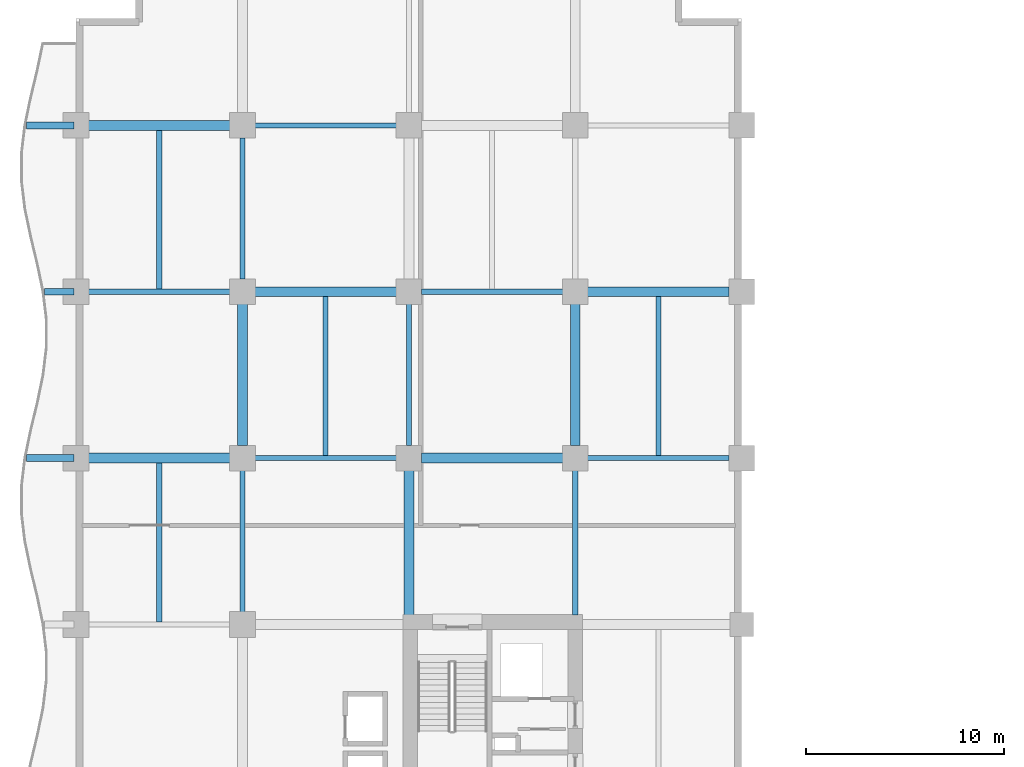
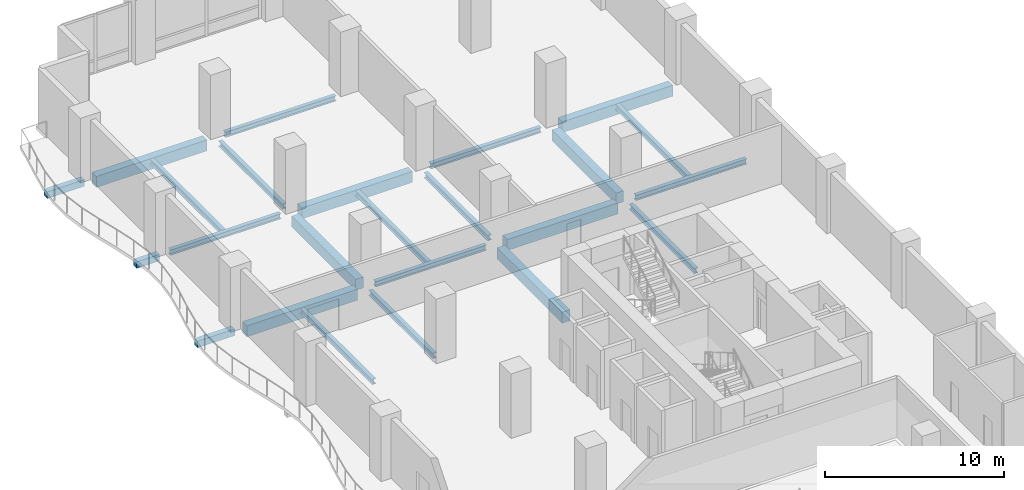
# One storey, part 7 of 24: 24 beams.
"""IFC4 building model written with IfcOpenShell, lengths in metres."""

import ifcopenshell
import ifcopenshell.guid

model = None  # the IFC model being written
_history = None  # IfcOwnerHistory: only IFC2X3 demands one
_inside = {}  # id of a spatial element -> (the spatial element, [elements in it])
_under = {}  # id of a project, library or spatial element -> (it, [spatial elements below it])
_declared = {}  # id of a project -> (the project, [libraries it declares])
_typed = {}  # id of a type object -> (the type object, [elements of that type])
_made_of = {}  # id of a material, layer set ... -> (it, [elements and type objects made of it])


def new_model(schema):
    """Start an empty IFC model of exactly this schema.

    Asked for "IFC4X3", IfcOpenShell would pick the latest addendum, in which some entities
    have other attributes; the version numbers below select the first issue.
    IFC2X3 requires an IfcOwnerHistory on every rooted entity: one is made here for all.
    """
    global model, _history
    if schema == "IFC4X3":
        model = ifcopenshell.file(schema_version=(4, 3, 0, 0))
    else:
        model = ifcopenshell.file(schema=schema)
    _inside.clear()
    _under.clear()
    _declared.clear()
    _typed.clear()
    _made_of.clear()
    _history = None
    if model.schema == "IFC2X3":
        org = make("IfcOrganization", Name="unknown")
        user = make(
            "IfcPersonAndOrganization",
            ThePerson=make("IfcPerson", FamilyName="unknown"),
            TheOrganization=org,
        )
        app = make(
            "IfcApplication",
            ApplicationDeveloper=org,
            Version="unknown",
            ApplicationFullName="unknown",
            ApplicationIdentifier="unknown",
        )
        _history = make(
            "IfcOwnerHistory",
            OwningUser=user,
            OwningApplication=app,
            ChangeAction="ADDED",
            CreationDate=0,
        )
    return model


def make(cls, **values):
    """One entity of the class cls with the attributes given. An attribute that is None is left unset."""
    return model.create_entity(
        cls, **{name: value for name, value in values.items() if value is not None}
    )


def rooted(cls, **values):
    """An entity with a GlobalId (a new one), such as an element, a storey or a relation."""
    return make(cls, GlobalId=ifcopenshell.guid.new(), OwnerHistory=_history, **values)


def si_unit(unit_type, name, prefix=None):
    """IfcSIUnit, for example si_unit("LENGTHUNIT", "METRE", prefix="MILLI")."""
    return make("IfcSIUnit", UnitType=unit_type, Prefix=prefix, Name=name)


def assignment(units):
    """IfcUnitAssignment: the units of a project."""
    return None if units is None else make("IfcUnitAssignment", Units=units)


def point(xyz):
    """IfcCartesianPoint."""
    return None if xyz is None else make("IfcCartesianPoint", Coordinates=xyz)


def direction(xyz):
    """IfcDirection."""
    return None if xyz is None else make("IfcDirection", DirectionRatios=xyz)


def frame(location, z_axis=None, x_axis=None):
    """IfcAxis2Placement3D, a coordinate frame: its origin and axes. An axis left out is left unset."""
    return make(
        "IfcAxis2Placement3D",
        Location=point(location),
        Axis=direction(z_axis),
        RefDirection=direction(x_axis),
    )


def frame_2d(location, x_axis=None):
    """IfcAxis2Placement2D, a coordinate frame in the plane: its origin and x axis."""
    return make(
        "IfcAxis2Placement2D", Location=point(location), RefDirection=direction(x_axis)
    )


def origin():
    """The frame at (0, 0, 0) with its axes left unset."""
    return frame((0.0, 0.0, 0.0))


def origin_2d():
    """The frame at (0, 0) in the plane with its x axis left unset."""
    return frame_2d((0.0, 0.0))


def place(relative_to, where):
    """IfcLocalPlacement: puts the frame where relative to a parent placement (None: the world)."""
    return make(
        "IfcLocalPlacement", PlacementRelTo=relative_to, RelativePlacement=where
    )


def context(
    kind, dimensions, precision=None, world=None, true_north=None, identifier=None
):
    """IfcGeometricRepresentationContext, for example the 3D "Model" context."""
    return make(
        "IfcGeometricRepresentationContext",
        ContextIdentifier=identifier,
        ContextType=kind,
        CoordinateSpaceDimension=dimensions,
        Precision=precision,
        WorldCoordinateSystem=world,
        TrueNorth=true_north,
    )


def subcontext(parent, identifier, kind, view, scale=None):
    """IfcGeometricRepresentationSubContext, for example "Body" below "Model"."""
    return make(
        "IfcGeometricRepresentationSubContext",
        ContextIdentifier=identifier,
        ContextType=kind,
        ParentContext=parent,
        TargetScale=scale,
        TargetView=view,
    )


def project(units=None, contexts=None):
    """IfcProject with its units and contexts."""
    return rooted(
        "IfcProject",
        Name="project",
        RepresentationContexts=contexts,
        UnitsInContext=assignment(units),
    )


def spatial(cls, under=None, at=None, **own):
    """A site, building, storey or space (cls), placed at a placement, below another one or the project."""
    s = rooted(cls, ObjectPlacement=at, **own)
    if under is not None:
        _under.setdefault(under.id(), (under, []))[1].append(s)
    return s


def profile(cls, at=None, kind="AREA", **sizes):
    """A parametric profile (cls). Its sizes go by their IFC names, for example OverallWidth=200.0."""
    return make(cls, ProfileType=kind, Position=at, **sizes)


def rectangle(**sizes):
    """IfcRectangleProfileDef."""
    return profile("IfcRectangleProfileDef", **sizes)


def i_section(**sizes):
    """IfcIShapeProfileDef."""
    return profile("IfcIShapeProfileDef", **sizes)


def extrude(swept, where, along, depth):
    """IfcExtrudedAreaSolid: the profile swept, set in the frame where, extruded along a direction by depth."""
    return make(
        "IfcExtrudedAreaSolid",
        SweptArea=swept,
        Position=where,
        ExtrudedDirection=direction(along),
        Depth=depth,
    )


def shape(context_of_items, identifier, shape_type, items):
    """IfcShapeRepresentation: the items that make up one representation, for example the "Body"."""
    return make(
        "IfcShapeRepresentation",
        ContextOfItems=context_of_items,
        RepresentationIdentifier=identifier,
        RepresentationType=shape_type,
        Items=items,
    )


def material(Name=None, Category=None):
    """IfcMaterial."""
    return make("IfcMaterial", Name=Name, Category=Category)


def material_profile(
    of_material, cross_section, Name=None, Category=None, Priority=None
):
    """IfcMaterialProfile: a cross section and its material."""
    return make(
        "IfcMaterialProfile",
        Name=Name,
        Material=of_material,
        Profile=cross_section,
        Priority=Priority,
        Category=Category,
    )


def profile_set(profiles, Name=None, composite=None):
    """IfcMaterialProfileSet."""
    return make(
        "IfcMaterialProfileSet",
        Name=Name,
        MaterialProfiles=profiles,
        CompositeProfile=composite,
    )


def made_of(thing, what):
    """Note that an element or type object is made of a material, layer set ...; save() writes the relation."""
    if what is not None:
        _made_of.setdefault(what.id(), (what, []))[1].append(thing)
    return thing


def type_object(cls, material=None, **own):
    """A type object (cls), such as IfcWallType, which elements share."""
    return made_of(rooted(cls, **own), material)


def element(
    cls,
    number,
    at=None,
    inside=None,
    cuts=None,
    type_object=None,
    material=None,
    context=None,
    identifier="Body",
    shape_type=None,
    held_by="IfcProductDefinitionShape",
    body=None,
    shapes=None,
    **own,
):
    """One element of the class cls, such as IfcWall. Its Tag is "e" and its number.

    at: its placement. inside: the storey or other place that contains it. cuts: it is an
    opening in that element (IfcRelVoidsElement). A single representation is given by context,
    identifier, shape_type and body (its items); several are given by shapes. held_by: the class
    of the entity that holds the representations. save() writes the other relations.
    """
    e = rooted(cls, Tag="e%d" % number, ObjectPlacement=at, **own)
    if body is not None:
        shapes = [shape(context, identifier, shape_type, body)]
    if shapes is not None:
        e.Representation = make(held_by, Representations=shapes)
    if inside is not None:
        _inside.setdefault(inside.id(), (inside, []))[1].append(e)
    if cuts is not None:
        rooted(
            "IfcRelVoidsElement", RelatingBuildingElement=cuts, RelatedOpeningElement=e
        )
    if type_object is not None:
        _typed.setdefault(type_object.id(), (type_object, []))[1].append(e)
    return made_of(e, material)


def aggregate(whole, parts):
    """IfcRelAggregates: a whole, such as a stair, and the parts it consists of."""
    return rooted("IfcRelAggregates", RelatingObject=whole, RelatedObjects=parts)


def save(model, path):
    """Write the relations noted so far, then the file.

    IfcRelAggregates (storeys below a building ...), IfcRelContainedInSpatialStructure (elements
    in a storey), IfcRelDefinesByType, IfcRelAssociatesMaterial and IfcRelDeclares: one each for
    every whole, place, type object, material and project.
    """
    for whole, parts in _under.values():
        aggregate(whole, parts)
    for where, things in _inside.values():
        rooted(
            "IfcRelContainedInSpatialStructure",
            RelatedElements=things,
            RelatingStructure=where,
        )
    for kind, things in _typed.values():
        rooted("IfcRelDefinesByType", RelatedObjects=things, RelatingType=kind)
    for what, things in _made_of.values():
        rooted("IfcRelAssociatesMaterial", RelatedObjects=things, RelatingMaterial=what)
    for by, libraries in _declared.values():
        rooted("IfcRelDeclares", RelatingContext=by, RelatedDefinitions=libraries)
    model.write(path)


model = new_model("IFC4")

# Units and contexts
model_context = context("Model", 3, precision=1e-05, world=origin(), true_north=direction((0.0, 1.0)))
body_context = subcontext(model_context, "Body", "Model", "MODEL_VIEW")
ifc_project = project(units=[si_unit("LENGTHUNIT", "METRE"), si_unit("AREAUNIT", "SQUARE_METRE"), si_unit("VOLUMEUNIT", "CUBIC_METRE"), si_unit("PLANEANGLEUNIT", "RADIAN"), si_unit("MASSUNIT", "GRAM", prefix="KILO")], contexts=[model_context])

# Site, building, storey
site_placement = place(None, origin())
site = spatial("IfcSite", under=ifc_project, at=site_placement, CompositionType="ELEMENT")
building_placement = place(site_placement, origin())
building = spatial("IfcBuilding", under=site, at=building_placement, Name="Koriwani Terraces Tower", CompositionType="ELEMENT")
storey_placement = place(building_placement, frame((0.0, 0.0, 89.60009765625)))
storey = spatial("IfcBuildingStorey", under=building, at=storey_placement, Name="L21", CompositionType="ELEMENT", Elevation=89.60009765625)

# Beams
ifc_material_1 = material(Name="Concrete C40/50", Category="concrete")
ifc_material_profile_1 = material_profile(ifc_material_1, rectangle(XDim=0.35009765625, YDim=0.449951171875, at=origin_2d()), Name="Concrete C40/50", Category="LoadBearing")
ifc_profile_set_1 = profile_set([ifc_material_profile_1], Name="Concrete C40/50")
beam_type_1 = type_object("IfcBeamType", Name="BEAM_RC_BALCONY_RIB_350X450", PredefinedType="JOIST", material=ifc_profile_set_1)
beam_1_placement = place(storey_placement, frame((-2.509521484375, 67.199951171875, -0.47509765625), z_axis=(1.0, 0.0, 0.0), x_axis=(0.0, 1.0, 0.0)))
element("IfcBeam", 1, at=beam_1_placement, inside=storey, type_object=beam_type_1, Name="L21 Balcony Bracket Rib W-4", PredefinedType="JOIST", context=body_context, shape_type="SweptSolid", body=[
    extrude(rectangle(XDim=0.35009765625, YDim=0.449951171875, at=origin_2d()), origin(), (0.0, 0.0, 1.0), 2.409423828125),
])
beam_2_placement = place(storey_placement, frame((-1.59033203125, 75.60009765625, -0.47509765625), z_axis=(1.0, 0.0, 0.0), x_axis=(0.0, 1.0, 0.0)))
element("IfcBeam", 2, at=beam_2_placement, inside=storey, type_object=beam_type_1, Name="L21 Balcony Bracket Rib W-5", PredefinedType="JOIST", context=body_context, shape_type="SweptSolid", body=[
    extrude(rectangle(XDim=0.35009765625, YDim=0.449951171875, at=origin_2d()), origin(), (0.0, 0.0, 1.0), 1.490234375),
])
beam_3_placement = place(storey_placement, frame((-2.509521484375, 84.0, -0.47509765625), z_axis=(1.0, 0.0, 0.0), x_axis=(0.0, 1.0, 0.0)))
element("IfcBeam", 3, at=beam_3_placement, inside=storey, type_object=beam_type_1, Name="L21 Balcony Bracket Rib W-6", PredefinedType="JOIST", context=body_context, shape_type="SweptSolid", body=[
    extrude(rectangle(XDim=0.35009765625, YDim=0.449951171875, at=origin_2d()), origin(), (0.0, 0.0, 1.0), 2.409423828125),
])
ifc_material_2 = material(Name="Concrete C50/60", Category="concrete")
ifc_material_profile_2 = material_profile(ifc_material_2, rectangle(XDim=0.5, YDim=0.75, at=origin_2d()), Name="Concrete C50/60", Category="LoadBearing")
ifc_profile_set_2 = profile_set([ifc_material_profile_2], Name="Concrete C50/60")
beam_type_2 = type_object("IfcBeamType", Name="BEAM_RC_GRID_500X750", PredefinedType="BEAM", material=ifc_profile_set_2)
for number, where, z_axis, x_axis, name in (
    (4, (0.6298828125, 67.199951171875, -0.625), (1.0, 0.0, 0.0), (0.0, 1.0, 0.0), "L21 Grid Beam I (0.0-8.4m)"),
    (5, (17.429931640625, 67.199951171875, -0.625), (1.0, 0.0, 0.0), (0.0, 1.0, 0.0), "L21 Grid Beam I (16.8-25.2m)"),
):
    element("IfcBeam", number, at=place(storey_placement, frame(where, z_axis=z_axis, x_axis=x_axis)), inside=storey, type_object=beam_type_2, Name=name, PredefinedType="BEAM", context=body_context, shape_type="SweptSolid", body=[
        extrude(rectangle(XDim=0.5, YDim=0.75, at=origin_2d()), origin(), (0.0, 0.0, 1.0), 7.14013671875),
    ])
for number, where, z_axis, x_axis, name in (
    (6, (9.030029296875, 75.60009765625, -0.625), (1.0, 0.0, 0.0), (0.0, 1.0, 0.0), "L21 Grid Beam J (8.4-16.8m)"),
    (7, (25.830078125, 75.60009765625, -0.625), (1.0, 0.0, 0.0), (0.0, 1.0, 0.0), "L21 Grid Beam J (25.2-33.6m)"),
):
    element("IfcBeam", number, at=place(storey_placement, frame(where, z_axis=z_axis, x_axis=x_axis)), inside=storey, type_object=beam_type_2, Name=name, PredefinedType="BEAM", context=body_context, shape_type="SweptSolid", body=[
        extrude(rectangle(XDim=0.5, YDim=0.75, at=origin_2d()), origin(), (0.0, 0.0, 1.0), 7.139892578125),
    ])
beam_4_placement = place(storey_placement, frame((0.6298828125, 84.0, -0.625), z_axis=(1.0, 0.0, 0.0), x_axis=(0.0, 1.0, 0.0)))
element("IfcBeam", 8, at=beam_4_placement, inside=storey, type_object=beam_type_2, Name="L21 Grid Beam K (0.0-8.4m)", PredefinedType="BEAM", context=body_context, shape_type="SweptSolid", body=[
    extrude(rectangle(XDim=0.5, YDim=0.75, at=origin_2d()), origin(), (0.0, 0.0, 1.0), 7.14013671875),
])
beam_5_placement = place(storey_placement, frame((8.39990234375, 67.830078125, -0.625), z_axis=(0.0, 1.0, 0.0), x_axis=(-1.0, 0.0, 0.0)))
element("IfcBeam", 9, at=beam_5_placement, inside=storey, type_object=beam_type_2, Name="L21 Grid Beam 2 (67.2-75.6m)", PredefinedType="BEAM", context=body_context, shape_type="SweptSolid", body=[
    extrude(rectangle(XDim=0.5, YDim=0.75, at=origin_2d()), origin(), (0.0, 0.0, 1.0), 7.139892578125),
])
beam_6_placement = place(storey_placement, frame((16.800048828125, 59.280029296875, -0.625), z_axis=(0.0, 1.0, 0.0), x_axis=(-1.0, 0.0, 0.0)))
element("IfcBeam", 10, at=beam_6_placement, inside=storey, type_object=beam_type_2, Name="L21 Grid Beam 3 (58.8-67.2m)", PredefinedType="BEAM", context=body_context, shape_type="SweptSolid", body=[
    extrude(rectangle(XDim=0.5, YDim=0.75, at=origin_2d()), origin(), (0.0, 0.0, 1.0), 7.2900390625),
])
beam_7_placement = place(storey_placement, frame((25.199951171875, 67.830078125, -0.625), z_axis=(0.0, 1.0, 0.0), x_axis=(-1.0, 0.0, 0.0)))
element("IfcBeam", 11, at=beam_7_placement, inside=storey, type_object=beam_type_2, Name="L21 Grid Beam 4 (67.2-75.6m)", PredefinedType="BEAM", context=body_context, shape_type="SweptSolid", body=[
    extrude(rectangle(XDim=0.5, YDim=0.75, at=origin_2d()), origin(), (0.0, 0.0, 1.0), 7.139892578125),
])
ifc_material_3 = material(Name="Steel ASTM A572 Grade 50", Category="steel")
ifc_material_profile_3 = material_profile(ifc_material_3, i_section(OverallWidth=0.257080078125, OverallDepth=0.363037109375, WebThickness=0.012939453125, FlangeThickness=0.021728515625, at=origin_2d()), Name="Steel ASTM A572 Grade 50", Category="LoadBearing")
ifc_profile_set_3 = profile_set([ifc_material_profile_3], Name="Steel ASTM A572 Grade 50")
beam_type_3 = type_object("IfcBeamType", Name="STEEL_BEAM_W360X122", PredefinedType="JOIST", material=ifc_profile_set_3)
for number, where, z_axis, x_axis, name in (
    (12, (9.030029296875, 67.199951171875, -0.431640625), (1.0, 0.0, 0.0), (0.0, 1.0, 0.0), "L21 Grid Beam I (8.4-16.8m)"),
    (13, (25.830078125, 67.199951171875, -0.431640625), (1.0, 0.0, 0.0), (0.0, 1.0, 0.0), "L21 Grid Beam I (25.2-33.6m)"),
):
    element("IfcBeam", number, at=place(storey_placement, frame(where, z_axis=z_axis, x_axis=x_axis)), inside=storey, type_object=beam_type_3, Name=name, PredefinedType="JOIST", context=body_context, shape_type="SweptSolid", body=[
        extrude(i_section(OverallWidth=0.257080078125, OverallDepth=0.363037109375, WebThickness=0.012939453125, FlangeThickness=0.021728515625, at=origin_2d()), origin(), (0.0, 0.0, 1.0), 7.139892578125),
    ])
for number, where, z_axis, x_axis, name in (
    (14, (0.6298828125, 75.60009765625, -0.431640625), (1.0, 0.0, 0.0), (0.0, 1.0, 0.0), "L21 Grid Beam J (0.0-8.4m)"),
    (15, (17.429931640625, 75.60009765625, -0.431640625), (1.0, 0.0, 0.0), (0.0, 1.0, 0.0), "L21 Grid Beam J (16.8-25.2m)"),
):
    element("IfcBeam", number, at=place(storey_placement, frame(where, z_axis=z_axis, x_axis=x_axis)), inside=storey, type_object=beam_type_3, Name=name, PredefinedType="JOIST", context=body_context, shape_type="SweptSolid", body=[
        extrude(i_section(OverallWidth=0.257080078125, OverallDepth=0.363037109375, WebThickness=0.012939453125, FlangeThickness=0.021728515625, at=origin_2d()), origin(), (0.0, 0.0, 1.0), 7.14013671875),
    ])
beam_8_placement = place(storey_placement, frame((9.030029296875, 84.0, -0.431640625), z_axis=(1.0, 0.0, 0.0), x_axis=(0.0, 1.0, 0.0)))
element("IfcBeam", 16, at=beam_8_placement, inside=storey, type_object=beam_type_3, Name="L21 Grid Beam K (8.4-16.8m)", PredefinedType="JOIST", context=body_context, shape_type="SweptSolid", body=[
    extrude(i_section(OverallWidth=0.257080078125, OverallDepth=0.363037109375, WebThickness=0.012939453125, FlangeThickness=0.021728515625, at=origin_2d()), origin(), (0.0, 0.0, 1.0), 7.139892578125),
])
for number, where, z_axis, x_axis, name in (
    (17, (8.39990234375, 59.429931640625, -0.431640625), (0.0, 1.0, 0.0), (-1.0, 0.0, 0.0), "L21 Grid Beam 2 (58.8-67.2m)"),
    (18, (8.39990234375, 76.22998046875, -0.431640625), (0.0, 1.0, 0.0), (-1.0, 0.0, 0.0), "L21 Grid Beam 2 (75.6-84.0m)"),
):
    element("IfcBeam", number, at=place(storey_placement, frame(where, z_axis=z_axis, x_axis=x_axis)), inside=storey, type_object=beam_type_3, Name=name, PredefinedType="JOIST", context=body_context, shape_type="SweptSolid", body=[
        extrude(i_section(OverallWidth=0.257080078125, OverallDepth=0.363037109375, WebThickness=0.012939453125, FlangeThickness=0.021728515625, at=origin_2d()), origin(), (0.0, 0.0, 1.0), 7.14013671875),
    ])
beam_9_placement = place(storey_placement, frame((16.800048828125, 67.830078125, -0.431640625), z_axis=(0.0, 1.0, 0.0), x_axis=(-1.0, 0.0, 0.0)))
element("IfcBeam", 19, at=beam_9_placement, inside=storey, type_object=beam_type_3, Name="L21 Grid Beam 3 (67.2-75.6m)", PredefinedType="JOIST", context=body_context, shape_type="SweptSolid", body=[
    extrude(i_section(OverallWidth=0.257080078125, OverallDepth=0.363037109375, WebThickness=0.012939453125, FlangeThickness=0.021728515625, at=origin_2d()), origin(), (0.0, 0.0, 1.0), 7.139892578125),
])
beam_10_placement = place(storey_placement, frame((25.199951171875, 59.280029296875, -0.431640625), z_axis=(0.0, 1.0, 0.0), x_axis=(-1.0, 0.0, 0.0)))
element("IfcBeam", 20, at=beam_10_placement, inside=storey, type_object=beam_type_3, Name="L21 Grid Beam 4 (58.8-67.2m)", PredefinedType="JOIST", context=body_context, shape_type="SweptSolid", body=[
    extrude(i_section(OverallWidth=0.257080078125, OverallDepth=0.363037109375, WebThickness=0.012939453125, FlangeThickness=0.021728515625, at=origin_2d()), origin(), (0.0, 0.0, 1.0), 7.2900390625),
])
for number, where, z_axis, x_axis, name in (
    (21, (4.199951171875, 58.91845703125, -0.431640625), (0.0, 1.0, 0.0), (-1.0, 0.0, 0.0), "L21 Secondary Steel Floor Joist X=4.2m"),
    (22, (4.199951171875, 75.718505859375, -0.431640625), (0.0, 1.0, 0.0), (-1.0, 0.0, 0.0), "L21 Secondary Steel Floor Joist X=4.2m"),
    (23, (12.60009765625, 67.318603515625, -0.431640625), (0.0, 1.0, 0.0), (-1.0, 0.0, 0.0), "L21 Secondary Steel Floor Joist X=12.6m"),
    (24, (29.39990234375, 67.318603515625, -0.431640625), (0.0, 1.0, 0.0), (-1.0, 0.0, 0.0), "L21 Secondary Steel Floor Joist X=29.4m"),
):
    element("IfcBeam", number, at=place(storey_placement, frame(where, z_axis=z_axis, x_axis=x_axis)), inside=storey, type_object=beam_type_3, Name=name, PredefinedType="JOIST", context=body_context, shape_type="SweptSolid", body=[
        extrude(i_section(OverallWidth=0.257080078125, OverallDepth=0.363037109375, WebThickness=0.012939453125, FlangeThickness=0.021728515625, at=origin_2d()), origin(), (0.0, 0.0, 1.0), 8.04150390625),
    ])

save(model, "model.ifc")
